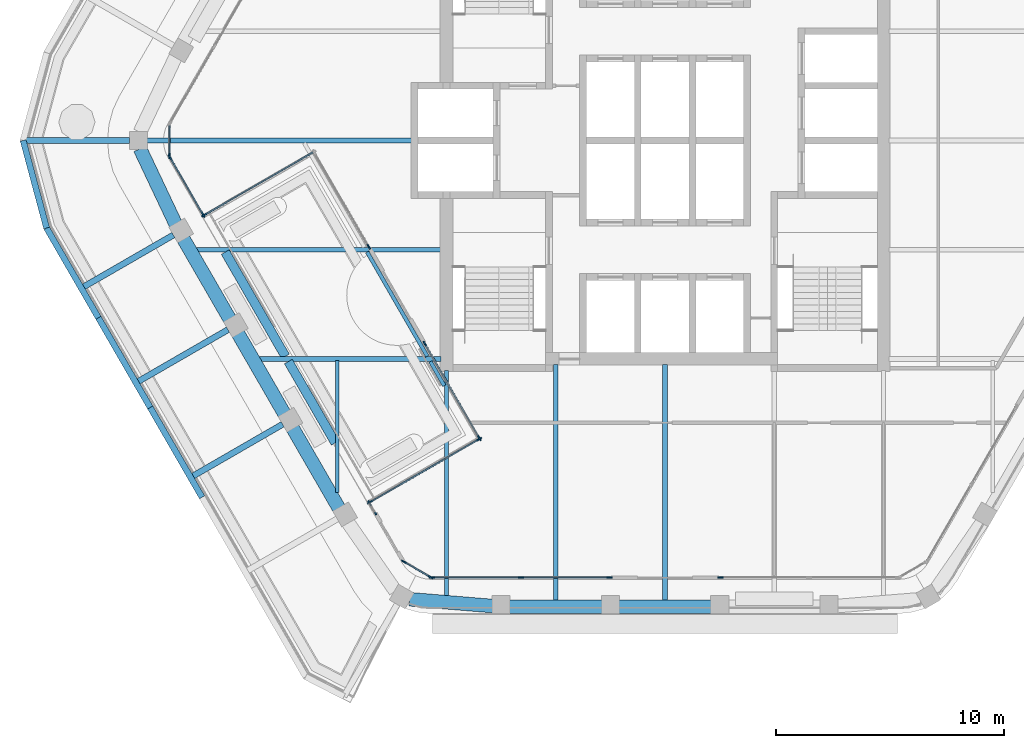
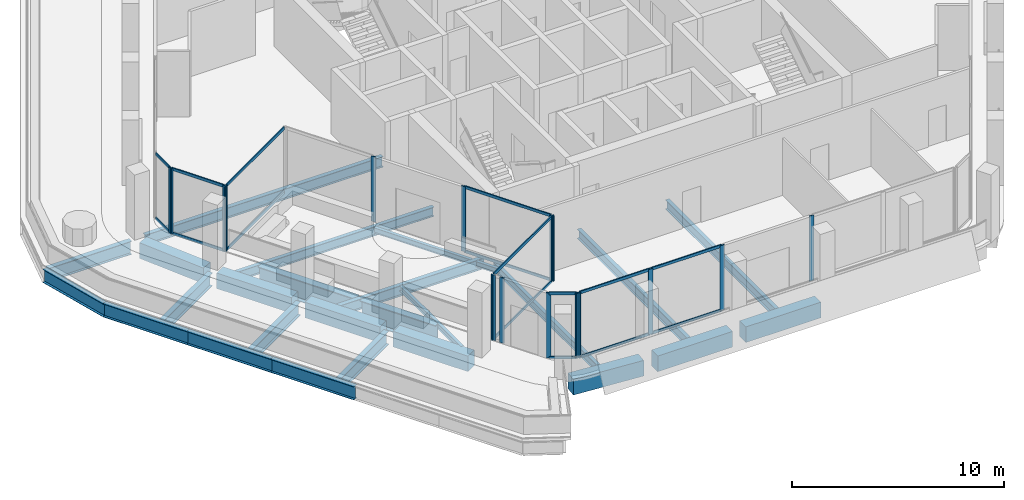
# One storey, part 2 of 15: 33 members, 26 beams, 10 elements without a shape of their own.
"""IFC4 building model written with IfcOpenShell, lengths in metres."""

from ifc_helpers import new_model, si_unit, direction, frame, origin, origin_2d, place, context, subcontext, project, spatial, rectangle, i_section, extrude, material, material_profile, profile_set, type_object, element, aggregate, save


model = new_model("IFC4")

# Units and contexts
model_context = context("Model", 3, precision=1e-05, world=origin(), true_north=direction((0.0, 1.0)))
body_context = subcontext(model_context, "Body", "Model", "MODEL_VIEW")
ifc_project = project(units=[si_unit("LENGTHUNIT", "METRE"), si_unit("AREAUNIT", "SQUARE_METRE"), si_unit("VOLUMEUNIT", "CUBIC_METRE"), si_unit("PLANEANGLEUNIT", "RADIAN"), si_unit("MASSUNIT", "GRAM", prefix="KILO")], contexts=[model_context])

# Site, building, storey
site_placement = place(None, origin())
site = spatial("IfcSite", under=ifc_project, at=site_placement, CompositionType="ELEMENT")
building_placement = place(site_placement, origin())
building = spatial("IfcBuilding", under=site, at=building_placement, Name="Kolab Exchange Tower", CompositionType="ELEMENT")
storey_placement = place(building_placement, frame((0.0, 0.0, 238.39990234375)))
storey = spatial("IfcBuildingStorey", under=building, at=storey_placement, Name="L52", CompositionType="ELEMENT", Elevation=238.39990234375)

# Beams
ifc_material_1 = material(Name="Steel S355", Category="steel")
ifc_material_profile_1 = material_profile(ifc_material_1, i_section(OverallWidth=0.39990234375, OverallDepth=1.199951171875, WebThickness=0.02490234375, FlangeThickness=0.0400390625, at=origin_2d()), Name="PG1200X400")
ifc_profile_set_1 = profile_set([ifc_material_profile_1], Name="Steel S355")
beam_type_1 = type_object("IfcBeamType", Name="FLOOR BEAM PG1200X400", PredefinedType="BEAM", material=ifc_profile_set_1)
beam_1_placement = place(storey_placement, frame((-19.322021484375, -4.904541015625, -0.75), z_axis=(0.499980785011, -0.866036497279, 0.0), x_axis=(0.866036497279, 0.499980785011, 0.0)))
element("IfcBeam", 1, at=beam_1_placement, inside=storey, type_object=beam_type_1, Name="beam/L52/fr/003", PredefinedType="BEAM", context=body_context, shape_type="SweptSolid", body=[
    extrude(i_section(OverallWidth=0.39990234375, OverallDepth=1.199951171875, WebThickness=0.02490234375, FlangeThickness=0.0400390625, at=origin_2d()), origin(), (0.0, 0.0, 1.0), 5.290283203125),
])
beam_2_placement = place(storey_placement, frame((-16.54541015625, -9.714111328125, -0.75), z_axis=(0.500046874698, -0.865998338974, 0.0), x_axis=(0.865998338974, 0.500046874698, 0.0)))
element("IfcBeam", 2, at=beam_2_placement, inside=storey, type_object=beam_type_1, Name="beam/L52/fr/004", PredefinedType="BEAM", context=body_context, shape_type="SweptSolid", body=[
    extrude(i_section(OverallWidth=0.39990234375, OverallDepth=1.199951171875, WebThickness=0.02490234375, FlangeThickness=0.0400390625, at=origin_2d()), origin(), (0.0, 0.0, 1.0), 4.12548828125),
])
ifc_material_profile_2 = material_profile(ifc_material_1, i_section(OverallWidth=0.1650390625, OverallDepth=0.31005859375, WebThickness=0.005859375, FlangeThickness=0.009765625, at=origin_2d()), Name="W310X39")
ifc_profile_set_2 = profile_set([ifc_material_profile_2], Name="Steel S355")
beam_type_2 = type_object("IfcBeamType", Name="FLOOR BEAM W310X39", PredefinedType="BEAM", material=ifc_profile_set_2)
beam_3_placement = place(storey_placement, frame((-14.39990234375, -15.4677734375, -0.304931640625), z_axis=(0.0, 1.0, 0.0), x_axis=(-1.0, 0.0, 0.0)))
element("IfcBeam", 3, at=beam_3_placement, inside=storey, type_object=beam_type_2, Name="beam/L52/fr/005", PredefinedType="BEAM", context=body_context, shape_type="SweptSolid", body=[
    extrude(i_section(OverallWidth=0.1650390625, OverallDepth=0.31005859375, WebThickness=0.005859375, FlangeThickness=0.009765625, at=origin_2d()), origin(), (0.0, 0.0, 1.0), 5.793701171875),
])
beam_4_placement = place(storey_placement, frame((-13.084228515625, -4.904541015625, -0.304931640625), z_axis=(0.499980785011, -0.866036497279, 0.0), x_axis=(0.866036497279, 0.499980785011, 0.0)))
element("IfcBeam", 4, at=beam_4_placement, inside=storey, type_object=beam_type_2, Name="beam/L52/fr/008", PredefinedType="BEAM", context=body_context, shape_type="SweptSolid", body=[
    extrude(i_section(OverallWidth=0.1650390625, OverallDepth=0.31005859375, WebThickness=0.005859375, FlangeThickness=0.009765625, at=origin_2d()), origin(), (0.0, 0.0, 1.0), 5.290283203125),
])
beam_5_placement = place(storey_placement, frame((-10.3076171875, -9.714111328125, -0.304931640625), z_axis=(0.500061746146, -0.865989751695, 0.0), x_axis=(0.865989751695, 0.500061746146, 0.0)))
element("IfcBeam", 5, at=beam_5_placement, inside=storey, type_object=beam_type_2, Name="beam/L52/fr/009", PredefinedType="BEAM", context=body_context, shape_type="SweptSolid", body=[
    extrude(i_section(OverallWidth=0.1650390625, OverallDepth=0.31005859375, WebThickness=0.005859375, FlangeThickness=0.009765625, at=origin_2d()), origin(), (0.0, 0.0, 1.0), 1.224853515625),
])
ifc_material_profile_3 = material_profile(ifc_material_1, i_section(OverallWidth=0.18994140625, OverallDepth=0.45703125, WebThickness=0.009033203125, FlangeThickness=0.014404296875, at=origin_2d()), Name="W460X74")
ifc_profile_set_3 = profile_set([ifc_material_profile_3], Name="Steel S355")
beam_type_3 = type_object("IfcBeamType", Name="FLOOR BEAM W460X74", PredefinedType="BEAM", material=ifc_profile_set_3)
beam_6_placement = place(storey_placement, frame((-9.60009765625, -20.027099609375, -0.37841796875), z_axis=(0.0, 1.0, 0.0), x_axis=(-1.0, 0.0, 0.0)))
element("IfcBeam", 6, at=beam_6_placement, inside=storey, type_object=beam_type_3, Name="beam/L52/fr/010", PredefinedType="BEAM", context=body_context, shape_type="SweptSolid", body=[
    extrude(i_section(OverallWidth=0.18994140625, OverallDepth=0.45703125, WebThickness=0.009033203125, FlangeThickness=0.014404296875, at=origin_2d()), origin(), (0.0, 0.0, 1.0), 9.9169921875),
])
ifc_material_profile_4 = material_profile(ifc_material_1, i_section(OverallWidth=0.208984375, OverallDepth=0.532958984375, WebThickness=0.01025390625, FlangeThickness=0.015625, at=origin_2d()), Name="W530X92")
ifc_profile_set_4 = profile_set([ifc_material_profile_4], Name="Steel S355")
beam_type_4 = type_object("IfcBeamType", Name="FLOOR BEAM W530X92", PredefinedType="BEAM", material=ifc_profile_set_4)
beam_7_placement = place(storey_placement, frame((-20.575927734375, -4.800048828125, -0.41650390625), z_axis=(1.0, 0.0, 0.0), x_axis=(0.0, 1.0, 0.0)))
element("IfcBeam", 7, at=beam_7_placement, inside=storey, type_object=beam_type_4, Name="beam/L52/fr/001", PredefinedType="BEAM", context=body_context, shape_type="SweptSolid", body=[
    extrude(i_section(OverallWidth=0.208984375, OverallDepth=0.532958984375, WebThickness=0.01025390625, FlangeThickness=0.015625, at=origin_2d()), origin(), (0.0, 0.0, 1.0), 10.740966796875),
])
for number, where, z_axis, x_axis, name in (
    (8, (-4.800048828125, -20.224609375, -0.41650390625), (0.0, 1.0, 0.0), (-1.0, 0.0, 0.0), "beam/L52/fr/012"),
    (9, (0.0, -20.224609375, -0.41650390625), (0.0, 1.0, 0.0), (-1.0, 0.0, 0.0), "beam/L52/fr/014"),
):
    element("IfcBeam", number, at=place(storey_placement, frame(where, z_axis=z_axis, x_axis=x_axis)), inside=storey, type_object=beam_type_4, Name=name, PredefinedType="BEAM", context=body_context, shape_type="SweptSolid", body=[
        extrude(i_section(OverallWidth=0.208984375, OverallDepth=0.532958984375, WebThickness=0.01025390625, FlangeThickness=0.015625, at=origin_2d()), origin(), (0.0, 0.0, 1.0), 10.3896484375),
    ])
ifc_material_profile_5 = material_profile(ifc_material_1, i_section(OverallWidth=0.22802734375, OverallDepth=0.60791015625, WebThickness=0.01123046875, FlangeThickness=0.017333984375, at=origin_2d()), Name="W610X113")
ifc_profile_set_5 = profile_set([ifc_material_profile_5], Name="Steel S355")
beam_type_5 = type_object("IfcBeamType", Name="FLOOR BEAM W610X113", PredefinedType="BEAM", material=ifc_profile_set_5)
beam_8_placement = place(storey_placement, frame((-22.77587890625, 0.0, -0.453857421875), z_axis=(1.0, 0.0, 0.0), x_axis=(0.0, 1.0, 0.0)))
element("IfcBeam", 10, at=beam_8_placement, inside=storey, type_object=beam_type_5, Name="beam/L52/fr/000", PredefinedType="BEAM", context=body_context, shape_type="SweptSolid", body=[
    extrude(i_section(OverallWidth=0.22802734375, OverallDepth=0.60791015625, WebThickness=0.01123046875, FlangeThickness=0.017333984375, at=origin_2d()), origin(), (0.0, 0.0, 1.0), 12.94091796875),
])
ifc_material_profile_6 = material_profile(ifc_material_1, i_section(OverallWidth=0.22802734375, OverallDepth=0.60791015625, WebThickness=0.01123046875, FlangeThickness=0.017333984375, at=origin_2d()), Name="W610X113")
ifc_profile_set_6 = profile_set([ifc_material_profile_6], Name="Steel S355")
beam_type_6 = type_object("IfcBeamType", Name="FLOOR GIRDER W610X113", PredefinedType="BEAM", material=ifc_profile_set_6)
beam_9_placement = place(storey_placement, frame((-17.8046875, -9.60009765625, -0.453857421875), z_axis=(1.0, 0.0, 0.0), x_axis=(0.0, 1.0, 0.0)))
element("IfcBeam", 11, at=beam_9_placement, inside=storey, type_object=beam_type_6, Name="beam/L52/gd/000", PredefinedType="BEAM", context=body_context, shape_type="SweptSolid", body=[
    extrude(i_section(OverallWidth=0.22802734375, OverallDepth=0.60791015625, WebThickness=0.01123046875, FlangeThickness=0.017333984375, at=origin_2d()), origin(), (0.0, 0.0, 1.0), 7.9697265625),
])
ifc_material_profile_7 = material_profile(ifc_material_1, i_section(OverallWidth=0.26708984375, OverallDepth=0.761962890625, WebThickness=0.014404296875, FlangeThickness=0.021484375, at=origin_2d()), Name="W760X173")
ifc_profile_set_7 = profile_set([ifc_material_profile_7], Name="Steel S355")
beam_type_7 = type_object("IfcBeamType", Name="FLOOR GIRDER W760X173", PredefinedType="BEAM", material=ifc_profile_set_7)
beam_10_placement = place(storey_placement, frame((-16.800048828125, -12.470703125, -0.5908203125), z_axis=(-0.866007095043, -0.500031710329, 0.0), x_axis=(0.500031710329, -0.866007095043, 0.0)))
element("IfcBeam", 12, at=beam_10_placement, inside=storey, type_object=beam_type_7, Name="beam/L52/ledge/rib-02", PredefinedType="BEAM", context=body_context, shape_type="SweptSolid", body=[
    extrude(i_section(OverallWidth=0.26708984375, OverallDepth=0.761962890625, WebThickness=0.014404296875, FlangeThickness=0.021484375, at=origin_2d()), origin(), (0.0, 0.0, 1.0), 4.532958984375),
])
beam_11_placement = place(storey_placement, frame((-19.199951171875, -8.313720703125, -0.5908203125), z_axis=(-0.866020560687, -0.500008388397, 0.0), x_axis=(0.500008388397, -0.866020560687, 0.0)))
element("IfcBeam", 13, at=beam_11_placement, inside=storey, type_object=beam_type_7, Name="beam/L52/ledge/rib-03", PredefinedType="BEAM", context=body_context, shape_type="SweptSolid", body=[
    extrude(i_section(OverallWidth=0.26708984375, OverallDepth=0.761962890625, WebThickness=0.014404296875, FlangeThickness=0.021484375, at=origin_2d()), origin(), (0.0, 0.0, 1.0), 4.533203125),
])
beam_12_placement = place(storey_placement, frame((-21.60009765625, -4.156982421875, -0.5908203125), z_axis=(-0.866030417568, -0.499991315771, 0.0), x_axis=(0.499991315771, -0.866030417568, 0.0)))
element("IfcBeam", 14, at=beam_12_placement, inside=storey, type_object=beam_type_7, Name="beam/L52/ledge/rib-04", PredefinedType="BEAM", context=body_context, shape_type="SweptSolid", body=[
    extrude(i_section(OverallWidth=0.26708984375, OverallDepth=0.761962890625, WebThickness=0.014404296875, FlangeThickness=0.021484375, at=origin_2d()), origin(), (0.0, 0.0, 1.0), 4.53271484375),
])
beam_13_placement = place(storey_placement, frame((-23.535888671875, 0.0, -0.5908203125), z_axis=(-1.0, 0.0, 0.0), x_axis=(0.0, -1.0, 0.0)))
element("IfcBeam", 15, at=beam_13_placement, inside=storey, type_object=beam_type_7, Name="beam/L52/ledge/rib-05", PredefinedType="BEAM", context=body_context, shape_type="SweptSolid", body=[
    extrude(i_section(OverallWidth=0.26708984375, OverallDepth=0.761962890625, WebThickness=0.014404296875, FlangeThickness=0.021484375, at=origin_2d()), origin(), (0.0, 0.0, 1.0), 4.532958984375),
])
for number, where, z_axis, x_axis, name in (
    (16, (-20.337890625, -15.676025390625, -0.5908203125), (-0.499974680739, 0.866040021373, 0.0), (-0.866040021373, -0.499974680739, 0.0), "beam/L52/ledge/edge-03"),
    (17, (-22.614013671875, -11.7333984375, -0.5908203125), (-0.500038123928, 0.866003391805, 0.0), (-0.866003391805, -0.500038123928, 0.0), "beam/L52/ledge/edge-04"),
    (18, (-24.890380859375, -7.791015625, -0.5908203125), (-0.499974680739, 0.866040021373, 0.0), (-0.866040021373, -0.499974680739, 0.0), "beam/L52/ledge/edge-05"),
):
    element("IfcBeam", number, at=place(storey_placement, frame(where, z_axis=z_axis, x_axis=x_axis)), inside=storey, type_object=beam_type_7, Name=name, PredefinedType="BEAM", context=body_context, shape_type="SweptSolid", body=[
        extrude(i_section(OverallWidth=0.26708984375, OverallDepth=0.761962890625, WebThickness=0.014404296875, FlangeThickness=0.021484375, at=origin_2d()), origin(), (0.0, 0.0, 1.0), 4.552490234375),
    ])
beam_14_placement = place(storey_placement, frame((-27.16650390625, -3.848388671875, -0.5908203125), z_axis=(-0.258837161991, 0.965920971701, 0.0), x_axis=(-0.965920971701, -0.258837161991, 0.0)))
element("IfcBeam", 19, at=beam_14_placement, inside=storey, type_object=beam_type_7, Name="beam/L52/ledge/edge-06", PredefinedType="BEAM", context=body_context, shape_type="SweptSolid", body=[
    extrude(i_section(OverallWidth=0.26708984375, OverallDepth=0.761962890625, WebThickness=0.014404296875, FlangeThickness=0.021484375, at=origin_2d()), origin(), (0.0, 0.0, 1.0), 3.984130859375),
])
ifc_material_2 = material(Name="Concrete C50/60", Category="concrete")
ifc_material_profile_8 = material_profile(ifc_material_2, rectangle(XDim=0.60009765625, YDim=0.89990234375, at=origin_2d()), Name="RC600X900")
ifc_profile_set_8 = profile_set([ifc_material_profile_8], Name="Concrete C50/60")
beam_type_8 = type_object("IfcBeamType", Name="SPANDREL BEAM 600X900 C50/60", PredefinedType="BEAM", material=ifc_profile_set_8)
for number, where, z_axis, x_axis, name in (
    (20, (2.0400390625, -20.484619140625, -0.599853515625), (-1.0, 0.0, 0.0), (0.0, -1.0, 0.0), "beam/L52/sp/F4-03"),
    (21, (-2.760009765625, -20.484619140625, -0.599853515625), (-1.0, 0.0, 0.0), (0.0, -1.0, 0.0), "beam/L52/sp/F4-04"),
):
    element("IfcBeam", number, at=place(storey_placement, frame(where, z_axis=z_axis, x_axis=x_axis)), inside=storey, type_object=beam_type_8, Name=name, PredefinedType="BEAM", context=body_context, shape_type="SweptSolid", body=[
        extrude(rectangle(XDim=0.60009765625, YDim=0.89990234375, at=origin_2d()), origin(), (0.0, 0.0, 1.0), 4.080078125),
    ])
beam_15_placement = place(storey_placement, frame((-7.56005859375, -20.455078125, -0.599853515625), z_axis=(-0.996666751878, 0.081580547323, 0.0), x_axis=(-0.081580547323, -0.996666751878, 0.0)))
element("IfcBeam", 22, at=beam_15_placement, inside=storey, type_object=beam_type_8, Name="beam/L52/sp/F4-05", PredefinedType="BEAM", context=body_context, shape_type="SweptSolid", body=[
    extrude(rectangle(XDim=0.60009765625, YDim=0.89990234375, at=origin_2d()), origin(), (0.0, 0.0, 1.0), 3.6689453125),
])
beam_16_placement = place(storey_placement, frame((-14.3203125, -16.166015625, -0.599853515625), z_axis=(-0.499955548806, 0.866051066172, 0.0), x_axis=(-0.866051066172, -0.499955548806, 0.0)))
element("IfcBeam", 23, at=beam_16_placement, inside=storey, type_object=beam_type_8, Name="beam/L52/sp/F5-02", PredefinedType="BEAM", context=body_context, shape_type="SweptSolid", body=[
    extrude(rectangle(XDim=0.60009765625, YDim=0.89990234375, at=origin_2d()), origin(), (0.0, 0.0, 1.0), 4.079833984375),
])
for number, where, z_axis, x_axis, name in (
    (24, (-16.72021484375, -12.009033203125, -0.599853515625), (-0.500000428765, 0.866025156237, 0.0), (-0.866025156237, -0.500000428765, 0.0), "beam/L52/sp/F5-03"),
    (25, (-19.1201171875, -7.85205078125, -0.599853515625), (-0.500000428765, 0.866025156237, 0.0), (-0.866025156237, -0.500000428765, 0.0), "beam/L52/sp/F5-04"),
):
    element("IfcBeam", number, at=place(storey_placement, frame(where, z_axis=z_axis, x_axis=x_axis)), inside=storey, type_object=beam_type_8, Name=name, PredefinedType="BEAM", context=body_context, shape_type="SweptSolid", body=[
        extrude(rectangle(XDim=0.60009765625, YDim=0.89990234375, at=origin_2d()), origin(), (0.0, 0.0, 1.0), 4.080078125),
    ])
beam_17_placement = place(storey_placement, frame((-21.49462890625, -3.68017578125, -0.599853515625), z_axis=(-0.427677251998, 0.903931506323, 0.0), x_axis=(-0.903931506323, -0.427677251998, 0.0)))
element("IfcBeam", 26, at=beam_17_placement, inside=storey, type_object=beam_type_8, Name="beam/L52/sp/F5-05", PredefinedType="BEAM", context=body_context, shape_type="SweptSolid", body=[
    extrude(rectangle(XDim=0.60009765625, YDim=0.89990234375, at=origin_2d()), origin(), (0.0, 0.0, 1.0), 3.6689453125),
])

# Curtain wall, member
ifc_material_3 = material(Name="Aluminium EN AW-6063 T6", Category="aluminium")
curtain_wall_type = type_object("IfcCurtainWallType", Name="UNITISED HIGH ZONE CURTAIN WALL", PredefinedType="NOTDEFINED", material=ifc_material_3)
curtain_wall_1_placement = place(storey_placement, origin())
curtain_wall_1 = element("IfcCurtainWall", 27, at=curtain_wall_1_placement, inside=storey, type_object=curtain_wall_type, Name="cw/L52/F4-1", PredefinedType="NOTDEFINED")
ifc_material_profile_9 = material_profile(ifc_material_3, rectangle(XDim=0.06005859375, YDim=0.239990234375, at=origin_2d()), Name="RECT 60X240")
ifc_profile_set_9 = profile_set([ifc_material_profile_9], Name="Aluminium EN AW-6063 T6")
member_type_1 = type_object("IfcMemberType", Name="UNITISED HIGH ZONE MULLION 60 X 240", PredefinedType="MULLION", material=ifc_profile_set_9)
member_1_placement = place(storey_placement, frame((2.429931640625, -19.20458984375, 0.0), z_axis=(0.0, 0.0, 1.0), x_axis=(0.0, -1.0, 0.0)))
member_1 = element("IfcMember", 28, at=member_1_placement, type_object=member_type_1, Name="CW4 mullion 3", PredefinedType="MULLION", context=body_context, shape_type="SweptSolid", body=[
    extrude(rectangle(XDim=0.06005859375, YDim=0.239990234375, at=origin_2d()), origin(), (0.0, 0.0, 1.0), 3.75),
])
aggregate(curtain_wall_1, [member_1])

# Curtain wall, members
curtain_wall_2_placement = place(storey_placement, origin())
curtain_wall_2 = element("IfcCurtainWall", 29, at=curtain_wall_2_placement, inside=storey, type_object=curtain_wall_type, Name="cw/L52/F4-2", PredefinedType="NOTDEFINED")
member_2_placement = place(storey_placement, frame((-2.429931640625, -19.20458984375, 0.0), z_axis=(0.0, 0.0, 1.0), x_axis=(0.0, -1.0, 0.0)))
member_2 = element("IfcMember", 30, at=member_2_placement, type_object=member_type_1, Name="CW4 mullion 1", PredefinedType="MULLION", context=body_context, shape_type="SweptSolid", body=[
    extrude(rectangle(XDim=0.06005859375, YDim=0.239990234375, at=origin_2d()), origin(), (0.0, 0.0, 1.0), 3.75),
])
member_3_placement = place(storey_placement, frame((-6.333984375, -19.20458984375, 0.0), z_axis=(0.0, 0.0, 1.0), x_axis=(0.0, -1.0, 0.0)))
member_3 = element("IfcMember", 31, at=member_3_placement, type_object=member_type_1, Name="CW4 mullion 2", PredefinedType="MULLION", context=body_context, shape_type="SweptSolid", body=[
    extrude(rectangle(XDim=0.06005859375, YDim=0.239990234375, at=origin_2d()), origin(), (0.0, 0.0, 1.0), 3.75),
])
member_4_placement = place(storey_placement, frame((-10.238037109375, -19.20458984375, 0.0), z_axis=(0.0, 0.0, 1.0), x_axis=(0.0, -1.0, 0.0)))
member_4 = element("IfcMember", 32, at=member_4_placement, type_object=member_type_1, Name="CW4 mullion 3", PredefinedType="MULLION", context=body_context, shape_type="SweptSolid", body=[
    extrude(rectangle(XDim=0.06005859375, YDim=0.239990234375, at=origin_2d()), origin(), (0.0, 0.0, 1.0), 3.75),
])

curtain_wall_3_placement = place(storey_placement, origin())
curtain_wall_3 = element("IfcCurtainWall", 33, at=curtain_wall_3_placement, inside=storey, type_object=curtain_wall_type, Name="cw/L52/F5-l-1", PredefinedType="NOTDEFINED")
member_5_placement = place(storey_placement, frame((-12.74267578125, -16.338134765625, 0.0), z_axis=(0.0, 0.0, 1.0), x_axis=(-0.866025350788, -0.500000091793, 0.0)))
member_5 = element("IfcMember", 34, at=member_5_placement, type_object=member_type_1, Name="CW4 mullion 1", PredefinedType="MULLION", context=body_context, shape_type="SweptSolid", body=[
    extrude(rectangle(XDim=0.06005859375, YDim=0.239990234375, at=origin_2d()), origin(), (0.0, 0.0, 1.0), 3.75),
])
member_6_placement = place(storey_placement, frame((-12.9765625, -15.932861328125, 0.0), z_axis=(0.0, 0.0, 1.0), x_axis=(-0.866025350788, -0.500000091793, 0.0)))
member_6 = element("IfcMember", 35, at=member_6_placement, type_object=member_type_1, Name="CW4 mullion 2", PredefinedType="MULLION", context=body_context, shape_type="SweptSolid", body=[
    extrude(rectangle(XDim=0.06005859375, YDim=0.239990234375, at=origin_2d()), origin(), (0.0, 0.0, 1.0), 3.75),
])
aggregate(curtain_wall_3, [member_5, member_6])

curtain_wall_4_placement = place(storey_placement, origin())
curtain_wall_4 = element("IfcCurtainWall", 36, at=curtain_wall_4_placement, inside=storey, type_object=curtain_wall_type, Name="cw/L52/F5-rl-1", PredefinedType="NOTDEFINED")
member_7_placement = place(storey_placement, frame((-12.9658203125, -15.89208984375, 0.0), z_axis=(0.0, 0.0, 1.0), x_axis=(-0.500000020194, 0.866025392126, 0.0)))
member_7 = element("IfcMember", 37, at=member_7_placement, type_object=member_type_1, Name="CW4 mullion 1", PredefinedType="MULLION", context=body_context, shape_type="SweptSolid", body=[
    extrude(rectangle(XDim=0.06005859375, YDim=0.239990234375, at=origin_2d()), origin(), (0.0, 0.0, 1.0), 3.75),
])
member_8_placement = place(storey_placement, frame((-8.16796875, -13.1220703125, 0.0), z_axis=(0.0, 0.0, 1.0), x_axis=(-0.500000020194, 0.866025392126, 0.0)))
member_8 = element("IfcMember", 38, at=member_8_placement, type_object=member_type_1, Name="CW4 mullion 2", PredefinedType="MULLION", context=body_context, shape_type="SweptSolid", body=[
    extrude(rectangle(XDim=0.06005859375, YDim=0.239990234375, at=origin_2d()), origin(), (0.0, 0.0, 1.0), 3.75),
])

curtain_wall_5_placement = place(storey_placement, origin())
curtain_wall_5 = element("IfcCurtainWall", 39, at=curtain_wall_5_placement, inside=storey, type_object=curtain_wall_type, Name="cw/L52/F5-back-1", PredefinedType="NOTDEFINED")
member_9_placement = place(storey_placement, frame((-8.156982421875, -13.0810546875, 0.0), z_axis=(0.0, 0.0, 1.0), x_axis=(-0.866025376121, -0.500000047915, 0.0)))
member_9 = element("IfcMember", 40, at=member_9_placement, type_object=member_type_1, Name="CW4 mullion 1", PredefinedType="MULLION", context=body_context, shape_type="SweptSolid", body=[
    extrude(rectangle(XDim=0.06005859375, YDim=0.239990234375, at=origin_2d()), origin(), (0.0, 0.0, 1.0), 3.75),
])
member_10_placement = place(storey_placement, frame((-10.5537109375, -8.929931640625, 0.0), z_axis=(0.0, 0.0, 1.0), x_axis=(-0.866025376121, -0.500000047915, 0.0)))
member_10 = element("IfcMember", 41, at=member_10_placement, type_object=member_type_1, Name="CW4 mullion 2", PredefinedType="MULLION", context=body_context, shape_type="SweptSolid", body=[
    extrude(rectangle(XDim=0.06005859375, YDim=0.239990234375, at=origin_2d()), origin(), (0.0, 0.0, 1.0), 3.75),
])

# Curtain wall, member
curtain_wall_6_placement = place(storey_placement, origin())
curtain_wall_6 = element("IfcCurtainWall", 42, at=curtain_wall_6_placement, inside=storey, type_object=curtain_wall_type, Name="cw/L52/F5-back-2", PredefinedType="NOTDEFINED")
member_11_placement = place(storey_placement, frame((-13.01025390625, -4.6748046875, 0.0), z_axis=(0.0, 0.0, 1.0), x_axis=(-0.866025376121, -0.500000047915, 0.0)))
member_11 = element("IfcMember", 43, at=member_11_placement, type_object=member_type_1, Name="CW4 mullion 1", PredefinedType="MULLION", context=body_context, shape_type="SweptSolid", body=[
    extrude(rectangle(XDim=0.06005859375, YDim=0.239990234375, at=origin_2d()), origin(), (0.0, 0.0, 1.0), 3.75),
])
aggregate(curtain_wall_6, [member_11])

curtain_wall_7_placement = place(storey_placement, origin())
curtain_wall_7 = element("IfcCurtainWall", 44, at=curtain_wall_7_placement, inside=storey, type_object=curtain_wall_type, Name="cw/L52/F5-rr-1", PredefinedType="NOTDEFINED")
member_12_placement = place(storey_placement, frame((-20.24560546875, -3.28271484375, 0.0), z_axis=(0.0, 0.0, 1.0), x_axis=(0.500000020194, -0.866025392126, 0.0)))
member_12 = element("IfcMember", 45, at=member_12_placement, type_object=member_type_1, Name="CW4 mullion 2", PredefinedType="MULLION", context=body_context, shape_type="SweptSolid", body=[
    extrude(rectangle(XDim=0.06005859375, YDim=0.239990234375, at=origin_2d()), origin(), (0.0, 0.0, 1.0), 3.75),
])

# Curtain wall, members
curtain_wall_8_placement = place(storey_placement, origin())
curtain_wall_8 = element("IfcCurtainWall", 46, at=curtain_wall_8_placement, inside=storey, type_object=curtain_wall_type, Name="cw/L52/F5-r-1", PredefinedType="NOTDEFINED")
member_13_placement = place(storey_placement, frame((-20.28662109375, -3.271728515625, 0.0), z_axis=(0.0, 0.0, 1.0), x_axis=(-0.866025498067, -0.499999836698, 0.0)))
member_13 = element("IfcMember", 47, at=member_13_placement, type_object=member_type_1, Name="CW4 mullion 1", PredefinedType="MULLION", context=body_context, shape_type="SweptSolid", body=[
    extrude(rectangle(XDim=0.06005859375, YDim=0.239990234375, at=origin_2d()), origin(), (0.0, 0.0, 1.0), 3.75),
])
member_14_placement = place(storey_placement, frame((-21.750732421875, -0.736083984375, 0.0), z_axis=(0.0, 0.0, 1.0), x_axis=(-0.866025498067, -0.499999836698, 0.0)))
member_14 = element("IfcMember", 48, at=member_14_placement, type_object=member_type_1, Name="CW4 mullion 2", PredefinedType="MULLION", context=body_context, shape_type="SweptSolid", body=[
    extrude(rectangle(XDim=0.06005859375, YDim=0.239990234375, at=origin_2d()), origin(), (0.0, 0.0, 1.0), 3.75),
])

curtain_wall_9_placement = place(storey_placement, origin())
curtain_wall_9 = element("IfcCurtainWall", 49, at=curtain_wall_9_placement, inside=storey, type_object=curtain_wall_type, Name="cw/L52/F4F5-corner", PredefinedType="NOTDEFINED")
member_15_placement = place(storey_placement, frame((-10.2939453125, -19.189697265625, 0.0), z_axis=(0.0, 0.0, 1.0), x_axis=(-0.50000002237, -0.866025390869, 0.0)))
member_15 = element("IfcMember", 50, at=member_15_placement, type_object=member_type_1, Name="CW4 mullion 1", PredefinedType="MULLION", context=body_context, shape_type="SweptSolid", body=[
    extrude(rectangle(XDim=0.06005859375, YDim=0.239990234375, at=origin_2d()), origin(), (0.0, 0.0, 1.0), 3.75),
])
member_16_placement = place(storey_placement, frame((-11.4716796875, -18.509521484375, 0.0), z_axis=(0.0, 0.0, 1.0), x_axis=(-0.50000002237, -0.866025390869, 0.0)))
member_16 = element("IfcMember", 51, at=member_16_placement, type_object=member_type_1, Name="CW4 mullion 2", PredefinedType="MULLION", context=body_context, shape_type="SweptSolid", body=[
    extrude(rectangle(XDim=0.06005859375, YDim=0.239990234375, at=origin_2d()), origin(), (0.0, 0.0, 1.0), 3.75),
])

# Curtain wall, member
curtain_wall_10_placement = place(storey_placement, origin())
curtain_wall_10 = element("IfcCurtainWall", 52, at=curtain_wall_10_placement, inside=storey, type_object=curtain_wall_type, Name="cw/L52/F5F6-corner", PredefinedType="NOTDEFINED")
member_17_placement = place(storey_placement, frame((-21.765625, -0.679931640625, 0.0), z_axis=(0.0, 0.0, 1.0), x_axis=(-1.0, 0.0, 0.0)))
member_17 = element("IfcMember", 53, at=member_17_placement, type_object=member_type_1, Name="CW4 mullion 1", PredefinedType="MULLION", context=body_context, shape_type="SweptSolid", body=[
    extrude(rectangle(XDim=0.06005859375, YDim=0.239990234375, at=origin_2d()), origin(), (0.0, 0.0, 1.0), 3.75),
])

# Member
ifc_material_profile_10 = material_profile(ifc_material_3, rectangle(XDim=0.06005859375, YDim=0.159912109375, at=origin_2d()), Name="RECT 60X160")
ifc_profile_set_10 = profile_set([ifc_material_profile_10], Name="Aluminium EN AW-6063 T6")
member_type_2 = type_object("IfcMemberType", Name="UNITISED HIGH ZONE TRANSOM 60 X 160", PredefinedType="USERDEFINED", material=ifc_profile_set_10)
member_18_placement = place(storey_placement, frame((-2.4599609375, -19.20458984375, 0.030029296875), z_axis=(-1.0, 0.0, 0.0), x_axis=(0.0, -1.0, 0.0)))
member_18 = element("IfcMember", 54, at=member_18_placement, type_object=member_type_2, Name="CW4 transom 1.1", ObjectType="TRANSOM", PredefinedType="USERDEFINED", context=body_context, shape_type="SweptSolid", body=[
    extrude(rectangle(XDim=0.06005859375, YDim=0.159912109375, at=origin_2d()), origin(), (0.0, 0.0, 1.0), 3.843994140625),
])

member_19_placement = place(storey_placement, frame((-2.4599609375, -19.20458984375, 3.72021484375), z_axis=(-1.0, 0.0, 0.0), x_axis=(0.0, -1.0, 0.0)))
member_19 = element("IfcMember", 55, at=member_19_placement, type_object=member_type_2, Name="CW4 transom 1.2", ObjectType="TRANSOM", PredefinedType="USERDEFINED", context=body_context, shape_type="SweptSolid", body=[
    extrude(rectangle(XDim=0.06005859375, YDim=0.159912109375, at=origin_2d()), origin(), (0.0, 0.0, 1.0), 3.843994140625),
])

member_20_placement = place(storey_placement, frame((-6.364013671875, -19.20458984375, 0.030029296875), z_axis=(-1.0, 0.0, 0.0), x_axis=(0.0, -1.0, 0.0)))
member_20 = element("IfcMember", 56, at=member_20_placement, type_object=member_type_2, Name="CW4 transom 2.1", ObjectType="TRANSOM", PredefinedType="USERDEFINED", context=body_context, shape_type="SweptSolid", body=[
    extrude(rectangle(XDim=0.06005859375, YDim=0.159912109375, at=origin_2d()), origin(), (0.0, 0.0, 1.0), 3.843994140625),
])

member_21_placement = place(storey_placement, frame((-6.364013671875, -19.20458984375, 3.72021484375), z_axis=(-1.0, 0.0, 0.0), x_axis=(0.0, -1.0, 0.0)))
member_21 = element("IfcMember", 57, at=member_21_placement, type_object=member_type_2, Name="CW4 transom 2.2", ObjectType="TRANSOM", PredefinedType="USERDEFINED", context=body_context, shape_type="SweptSolid", body=[
    extrude(rectangle(XDim=0.06005859375, YDim=0.159912109375, at=origin_2d()), origin(), (0.0, 0.0, 1.0), 3.843994140625),
])

aggregate(curtain_wall_2, [member_2, member_3, member_4, member_18, member_19, member_20, member_21])

member_22_placement = place(storey_placement, frame((-12.939697265625, -15.876953125, 0.030029296875), z_axis=(0.866027562125, 0.499996261625, 0.0), x_axis=(-0.499996261625, 0.866027562125, 0.0)))
member_22 = element("IfcMember", 58, at=member_22_placement, type_object=member_type_2, Name="CW4 transom 1.1", ObjectType="TRANSOM", PredefinedType="USERDEFINED", context=body_context, shape_type="SweptSolid", body=[
    extrude(rectangle(XDim=0.06005859375, YDim=0.159912109375, at=origin_2d()), origin(), (0.0, 0.0, 1.0), 5.47998046875),
])

member_23_placement = place(storey_placement, frame((-12.939697265625, -15.876953125, 3.72021484375), z_axis=(0.866027562125, 0.499996261625, 0.0), x_axis=(-0.499996261625, 0.866027562125, 0.0)))
member_23 = element("IfcMember", 59, at=member_23_placement, type_object=member_type_2, Name="CW4 transom 1.2", ObjectType="TRANSOM", PredefinedType="USERDEFINED", context=body_context, shape_type="SweptSolid", body=[
    extrude(rectangle(XDim=0.06005859375, YDim=0.159912109375, at=origin_2d()), origin(), (0.0, 0.0, 1.0), 5.47998046875),
])

aggregate(curtain_wall_4, [member_7, member_8, member_22, member_23])

member_24_placement = place(storey_placement, frame((-8.171875, -13.054931640625, 0.030029296875), z_axis=(-0.500011179042, 0.866018949465, 0.0), x_axis=(-0.866018949465, -0.500011179042, 0.0)))
member_24 = element("IfcMember", 60, at=member_24_placement, type_object=member_type_2, Name="CW4 transom 1.1", ObjectType="TRANSOM", PredefinedType="USERDEFINED", context=body_context, shape_type="SweptSolid", body=[
    extrude(rectangle(XDim=0.06005859375, YDim=0.159912109375, at=origin_2d()), origin(), (0.0, 0.0, 1.0), 4.7333984375),
])

member_25_placement = place(storey_placement, frame((-8.171875, -13.054931640625, 3.72021484375), z_axis=(-0.500011179042, 0.866018949465, 0.0), x_axis=(-0.866018949465, -0.500011179042, 0.0)))
member_25 = element("IfcMember", 61, at=member_25_placement, type_object=member_type_2, Name="CW4 transom 1.2", ObjectType="TRANSOM", PredefinedType="USERDEFINED", context=body_context, shape_type="SweptSolid", body=[
    extrude(rectangle(XDim=0.06005859375, YDim=0.159912109375, at=origin_2d()), origin(), (0.0, 0.0, 1.0), 4.7333984375),
])

aggregate(curtain_wall_5, [member_9, member_10, member_24, member_25])

member_26_placement = place(storey_placement, frame((-15.473876953125, -0.527587890625, 0.030029296875), z_axis=(-0.866027562125, -0.499996261625, 0.0), x_axis=(0.499996261625, -0.866027562125, 0.0)))
member_26 = element("IfcMember", 62, at=member_26_placement, type_object=member_type_2, Name="CW4 transom 1.1", ObjectType="TRANSOM", PredefinedType="USERDEFINED", context=body_context, shape_type="SweptSolid", body=[
    extrude(rectangle(XDim=0.06005859375, YDim=0.159912109375, at=origin_2d()), origin(), (0.0, 0.0, 1.0), 5.47998046875),
])

member_27_placement = place(storey_placement, frame((-15.473876953125, -0.527587890625, 3.72021484375), z_axis=(-0.866027562125, -0.499996261625, 0.0), x_axis=(0.499996261625, -0.866027562125, 0.0)))
member_27 = element("IfcMember", 63, at=member_27_placement, type_object=member_type_2, Name="CW4 transom 1.2", ObjectType="TRANSOM", PredefinedType="USERDEFINED", context=body_context, shape_type="SweptSolid", body=[
    extrude(rectangle(XDim=0.06005859375, YDim=0.159912109375, at=origin_2d()), origin(), (0.0, 0.0, 1.0), 5.47998046875),
])

aggregate(curtain_wall_7, [member_12, member_26, member_27])

member_28_placement = place(storey_placement, frame((-20.3017578125, -3.24560546875, 0.030029296875), z_axis=(-0.499975463599, 0.866039569419, 0.0), x_axis=(-0.866039569419, -0.499975463599, 0.0)))
member_28 = element("IfcMember", 64, at=member_28_placement, type_object=member_type_2, Name="CW4 transom 1.1", ObjectType="TRANSOM", PredefinedType="USERDEFINED", context=body_context, shape_type="SweptSolid", body=[
    extrude(rectangle(XDim=0.06005859375, YDim=0.159912109375, at=origin_2d()), origin(), (0.0, 0.0, 1.0), 2.867919921875),
])

member_29_placement = place(storey_placement, frame((-20.3017578125, -3.24560546875, 3.72021484375), z_axis=(-0.499975463599, 0.866039569419, 0.0), x_axis=(-0.866039569419, -0.499975463599, 0.0)))
member_29 = element("IfcMember", 65, at=member_29_placement, type_object=member_type_2, Name="CW4 transom 1.2", ObjectType="TRANSOM", PredefinedType="USERDEFINED", context=body_context, shape_type="SweptSolid", body=[
    extrude(rectangle(XDim=0.06005859375, YDim=0.159912109375, at=origin_2d()), origin(), (0.0, 0.0, 1.0), 2.867919921875),
])

aggregate(curtain_wall_8, [member_13, member_14, member_28, member_29])

member_30_placement = place(storey_placement, frame((-10.31982421875, -19.174560546875, 0.030029296875), z_axis=(-0.866085525409, 0.49989585183, 0.0), x_axis=(-0.49989585183, -0.866085525409, 0.0)))
member_30 = element("IfcMember", 66, at=member_30_placement, type_object=member_type_2, Name="CW4 transom 1.1", ObjectType="TRANSOM", PredefinedType="USERDEFINED", context=body_context, shape_type="SweptSolid", body=[
    extrude(rectangle(XDim=0.06005859375, YDim=0.159912109375, at=origin_2d()), origin(), (0.0, 0.0, 1.0), 1.300048828125),
])

member_31_placement = place(storey_placement, frame((-10.31982421875, -19.174560546875, 3.72021484375), z_axis=(-0.866085525409, 0.49989585183, 0.0), x_axis=(-0.49989585183, -0.866085525409, 0.0)))
member_31 = element("IfcMember", 67, at=member_31_placement, type_object=member_type_2, Name="CW4 transom 1.2", ObjectType="TRANSOM", PredefinedType="USERDEFINED", context=body_context, shape_type="SweptSolid", body=[
    extrude(rectangle(XDim=0.06005859375, YDim=0.159912109375, at=origin_2d()), origin(), (0.0, 0.0, 1.0), 1.300048828125),
])

aggregate(curtain_wall_9, [member_15, member_16, member_30, member_31])

member_32_placement = place(storey_placement, frame((-21.765625, -0.64990234375, 0.030029296875), z_axis=(0.0, 1.0, 0.0), x_axis=(-1.0, 0.0, 0.0)))
member_32 = element("IfcMember", 68, at=member_32_placement, type_object=member_type_2, Name="CW4 transom 1.1", ObjectType="TRANSOM", PredefinedType="USERDEFINED", context=body_context, shape_type="SweptSolid", body=[
    extrude(rectangle(XDim=0.06005859375, YDim=0.159912109375, at=origin_2d()), origin(), (0.0, 0.0, 1.0), 1.2998046875),
])

member_33_placement = place(storey_placement, frame((-21.765625, -0.64990234375, 3.72021484375), z_axis=(0.0, 1.0, 0.0), x_axis=(-1.0, 0.0, 0.0)))
member_33 = element("IfcMember", 69, at=member_33_placement, type_object=member_type_2, Name="CW4 transom 1.2", ObjectType="TRANSOM", PredefinedType="USERDEFINED", context=body_context, shape_type="SweptSolid", body=[
    extrude(rectangle(XDim=0.06005859375, YDim=0.159912109375, at=origin_2d()), origin(), (0.0, 0.0, 1.0), 1.2998046875),
])

aggregate(curtain_wall_10, [member_17, member_32, member_33])

save(model, "model.ifc")
